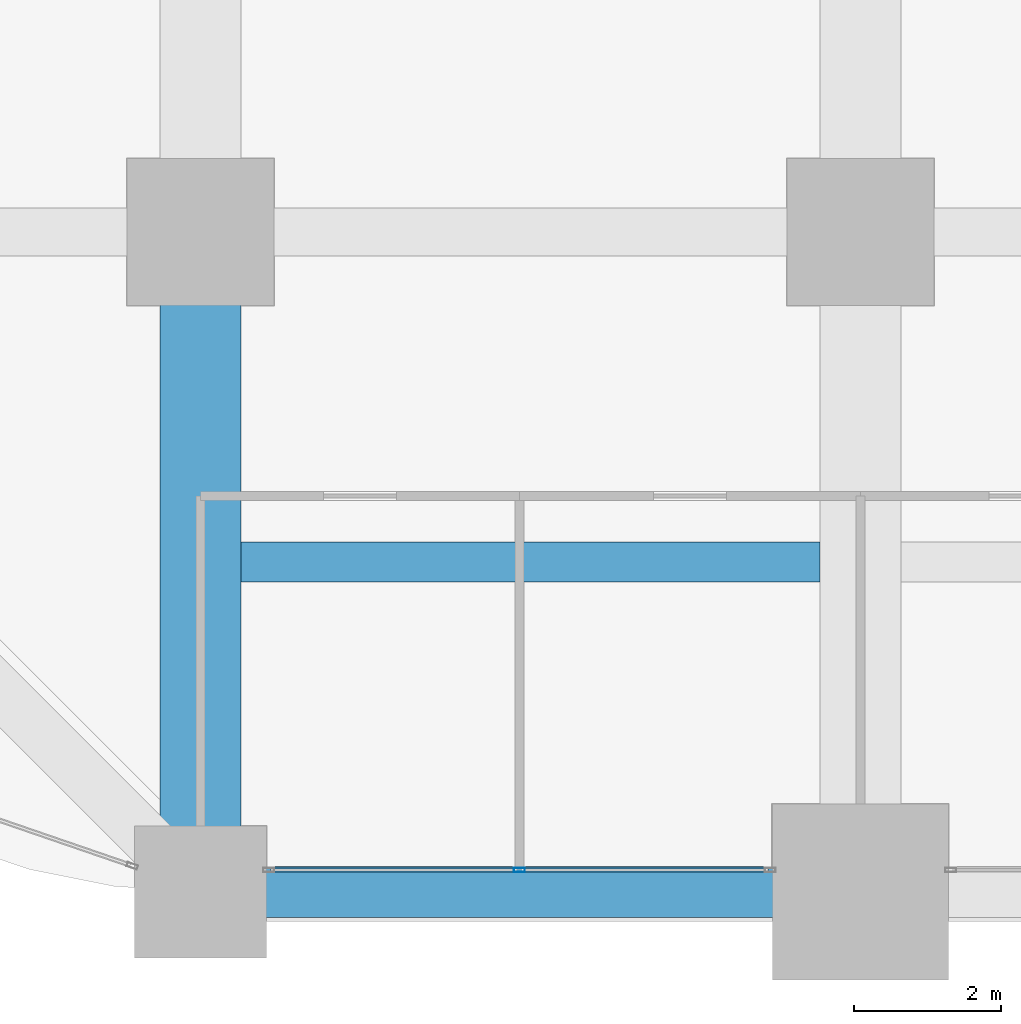
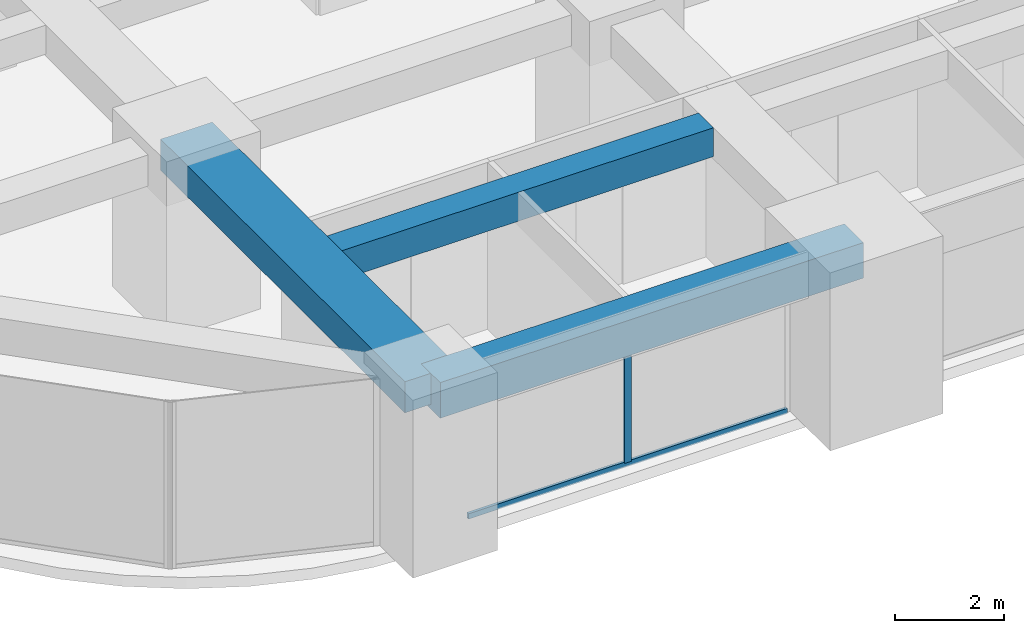
# One storey, part 3 of 41: 3 beams, 2 members, 1 element without a shape of its own.
"""IFC4 building model written with IfcOpenShell, lengths in metres."""

from ifc_helpers import new_model, si_unit, direction, frame, origin, origin_2d, place, context, subcontext, project, spatial, rectangle, hollow_rectangle, extrude, material, material_profile, profile_set, type_object, element, aggregate, save


model = new_model("IFC4")

# Units and contexts
model_context = context("Model", 3, precision=1e-05, world=origin(), true_north=direction((0.0, 1.0)))
body_context = subcontext(model_context, "Body", "Model", "MODEL_VIEW")
ifc_project = project(units=[si_unit("LENGTHUNIT", "METRE"), si_unit("AREAUNIT", "SQUARE_METRE"), si_unit("VOLUMEUNIT", "CUBIC_METRE"), si_unit("PLANEANGLEUNIT", "RADIAN"), si_unit("MASSUNIT", "GRAM", prefix="KILO")], contexts=[model_context])

# Site, building, storey
site_placement = place(None, origin())
site = spatial("IfcSite", under=ifc_project, at=site_placement, CompositionType="ELEMENT")
building_placement = place(site_placement, origin())
building = spatial("IfcBuilding", under=site, at=building_placement, Name="Zorevar Civic Tower", CompositionType="ELEMENT")
storey_placement = place(building_placement, frame((0.0, 0.0, 105.0)))
storey = spatial("IfcBuildingStorey", under=building, at=storey_placement, Name="L25", CompositionType="ELEMENT", Elevation=105.0)

# Beams
ifc_material_1 = material(Name="Concrete C50/60", Category="concrete")
ifc_material_profile_1 = material_profile(ifc_material_1, rectangle(XDim=1.10009765625, YDim=0.699951171875, at=origin_2d()), Name="RC 1100x700")
ifc_profile_set_1 = profile_set([ifc_material_profile_1], Name="Concrete C50/60")
beam_type_1 = type_object("IfcBeamType", Name="Beam RC 1100x700", PredefinedType="BEAM", material=ifc_profile_set_1)
beam_1_placement = place(storey_placement, frame((9.0, 0.0, 3.39990234375), z_axis=(0.0, 1.0, 0.0), x_axis=(-1.0, 0.0, 0.0)))
element("IfcBeam", 1, at=beam_1_placement, inside=storey, type_object=beam_type_1, Name="Girder L26", PredefinedType="BEAM", context=body_context, shape_type="SweptSolid", body=[
    extrude(rectangle(XDim=1.10009765625, YDim=0.699951171875, at=origin_2d()), origin(), (0.0, 0.0, 1.0), 9.0),
])
ifc_material_2 = material(Name="Concrete C50/60", Category="concrete")
ifc_material_profile_2 = material_profile(ifc_material_2, rectangle(XDim=0.550048828125, YDim=0.64990234375, at=origin_2d()), Name="RC 550x650")
ifc_profile_set_2 = profile_set([ifc_material_profile_2], Name="Concrete C50/60")
beam_type_2 = type_object("IfcBeamType", Name="Beam RC 550x650", PredefinedType="BEAM", material=ifc_profile_set_2)
beam_2_placement = place(storey_placement, frame((9.550048828125, 4.5, 3.425048828125), z_axis=(1.0, 0.0, 0.0), x_axis=(0.0, 1.0, 0.0)))
element("IfcBeam", 2, at=beam_2_placement, inside=storey, type_object=beam_type_2, Name="Secondary beam L26", PredefinedType="BEAM", context=body_context, shape_type="SweptSolid", body=[
    extrude(rectangle(XDim=0.550048828125, YDim=0.64990234375, at=origin_2d()), origin(), (0.0, 0.0, 1.0), 7.89990234375),
])

# Curtain wall, members
ifc_material_3 = material(Name="Dark grey solar-control glass in black aluminium frame", Category="aluminium")
curtain_wall_type = type_object("IfcCurtainWallType", Name="Curtain wall CW3 mid zone", PredefinedType="NOTDEFINED", material=ifc_material_3)
curtain_wall_placement = place(storey_placement, origin())
curtain_wall = element("IfcCurtainWall", 3, at=curtain_wall_placement, inside=storey, type_object=curtain_wall_type, Name="CW3 L25", PredefinedType="NOTDEFINED")
ifc_material_4 = material(Name="Aluminium, black anodised", Category="aluminium")
ifc_material_profile_3 = material_profile(ifc_material_4, hollow_rectangle(XDim=0.06005859375, YDim=0.14990234375, WallThickness=0.00390625, at=origin_2d()), Name="AL 150x60x4")
ifc_profile_set_3 = profile_set([ifc_material_profile_3], Name="Aluminium, black anodised")
member_type_1 = type_object("IfcMemberType", Name="CW3 mullion AL 150x60x4", PredefinedType="MULLION", material=ifc_profile_set_3)
member_1_placement = place(storey_placement, frame((13.35009765625, 0.300048828125, 0.06005859375), z_axis=(0.0, 0.0, 1.0), x_axis=(0.0, 1.0, 0.0)))
member_1 = element("IfcMember", 4, at=member_1_placement, type_object=member_type_1, Name="CW3 mullion 2", PredefinedType="MULLION", context=body_context, shape_type="SweptSolid", body=[
    extrude(hollow_rectangle(XDim=0.06005859375, YDim=0.14990234375, WallThickness=0.00390625, at=origin_2d()), origin(), (0.0, 0.0, 1.0), 2.889892578125),
])
ifc_material_5 = material(Name="Aluminium, black anodised", Category="aluminium")
ifc_material_profile_4 = material_profile(ifc_material_5, hollow_rectangle(XDim=0.06005859375, YDim=0.1201171875, WallThickness=0.0029296875, at=origin_2d()), Name="AL 120x60x3")
ifc_profile_set_4 = profile_set([ifc_material_profile_4], Name="Aluminium, black anodised")
member_type_2 = type_object("IfcMemberType", Name="CW3 transom AL 120x60x3", PredefinedType="USERDEFINED", material=ifc_profile_set_4)
member_2_placement = place(storey_placement, frame((9.9599609375, 0.300048828125, 0.030029296875), z_axis=(1.0, 0.0, 0.0), x_axis=(0.0, 1.0, 0.0)))
member_2 = element("IfcMember", 5, at=member_2_placement, type_object=member_type_2, Name="CW3 sill transom", ObjectType="TRANSOM", PredefinedType="USERDEFINED", context=body_context, shape_type="SweptSolid", body=[
    extrude(hollow_rectangle(XDim=0.06005859375, YDim=0.1201171875, WallThickness=0.0029296875, at=origin_2d()), origin(), (0.0, 0.0, 1.0), 6.780029296875),
])
aggregate(curtain_wall, [member_1, member_2])

# Beam
ifc_material_6 = material(Name="Concrete C50/60", Category="concrete")
ifc_material_profile_5 = material_profile(ifc_material_6, rectangle(XDim=0.699951171875, YDim=0.800048828125, at=origin_2d()), Name="RC 700x800")
ifc_profile_set_5 = profile_set([ifc_material_profile_5], Name="Concrete C50/60")
beam_type_3 = type_object("IfcBeamType", Name="Edge beam RC 700x800", PredefinedType="SPANDREL", material=ifc_profile_set_5)
beam_3_placement = place(storey_placement, frame((9.0, 0.0, 3.35009765625), z_axis=(1.0, 0.0, 0.0), x_axis=(0.0, 1.0, 0.0)))
element("IfcBeam", 6, at=beam_3_placement, inside=storey, type_object=beam_type_3, Name="Edge beam L26", PredefinedType="SPANDREL", context=body_context, shape_type="SweptSolid", body=[
    extrude(rectangle(XDim=0.699951171875, YDim=0.800048828125, at=origin_2d()), origin(), (0.0, 0.0, 1.0), 9.0),
])

save(model, "model.ifc")
